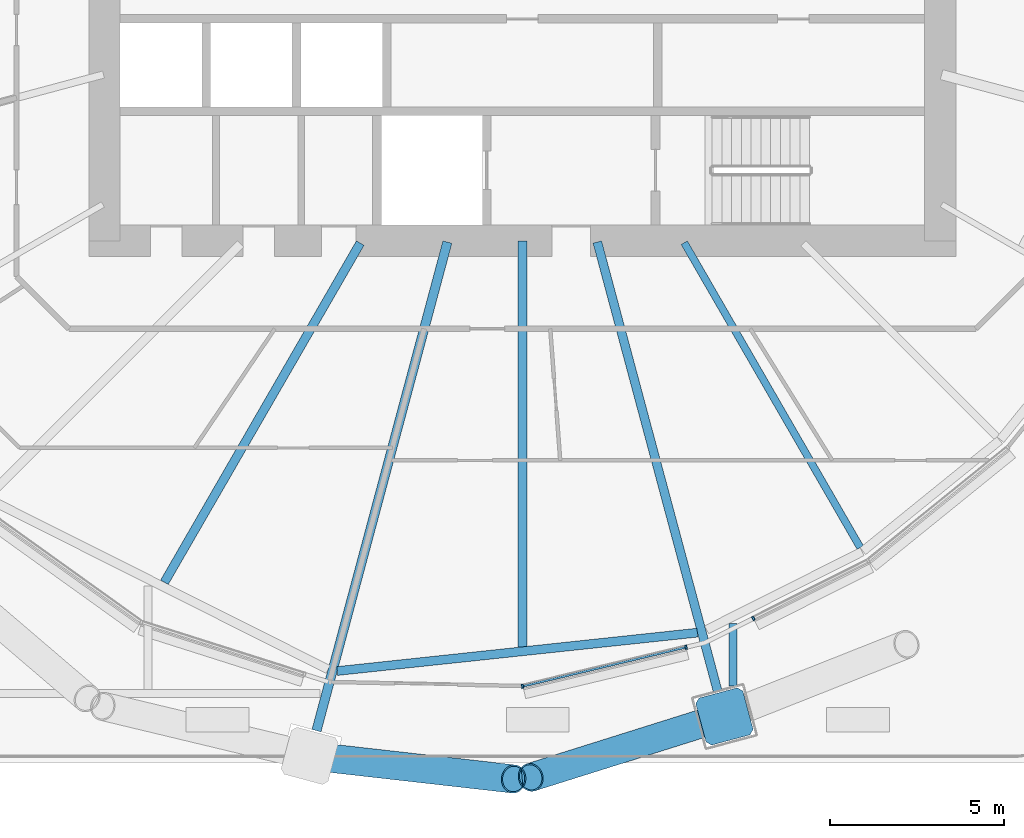
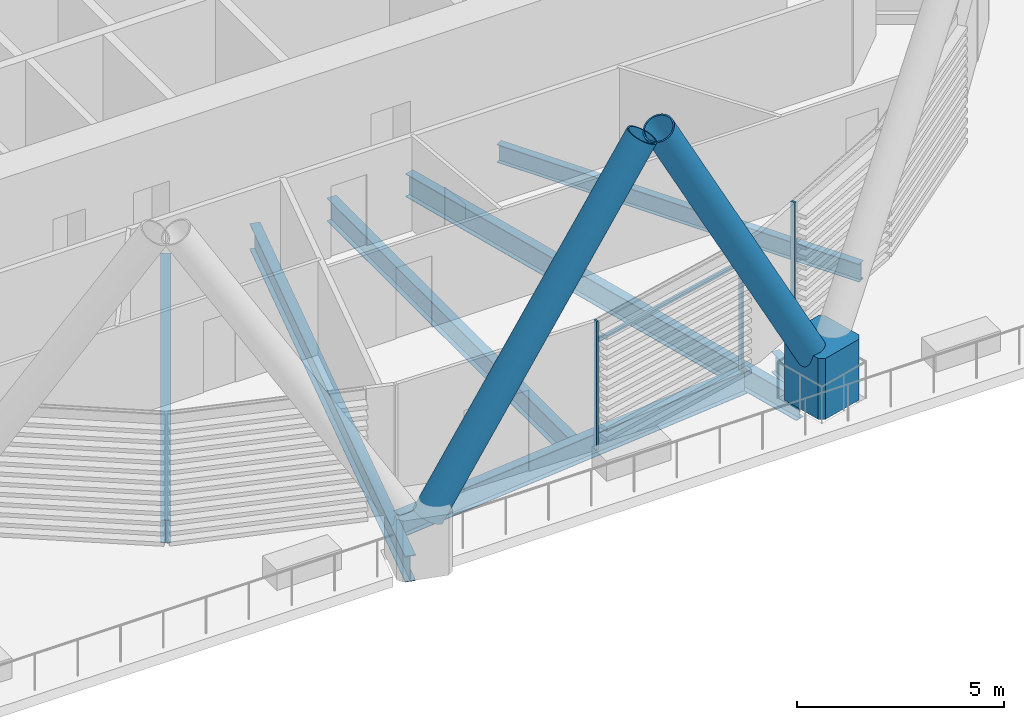
# One storey, part 14 of 47: 7 beams, 7 members, 1 element without a shape of its own.
"""IFC4 building model written with IfcOpenShell, lengths in metres."""

from ifc_helpers import new_model, si_unit, direction, frame, origin, origin_2d, place, context, subcontext, project, spatial, polyline, rectangle, hollow_circle, i_section, outline, extrude, material, material_profile, profile_set, type_object, element, aggregate, save


model = new_model("IFC4")

# Units and contexts
model_context = context("Model", 3, precision=1e-05, world=origin(), true_north=direction((0.0, 1.0)))
body_context = subcontext(model_context, "Body", "Model", "MODEL_VIEW")
ifc_project = project(units=[si_unit("LENGTHUNIT", "METRE"), si_unit("AREAUNIT", "SQUARE_METRE"), si_unit("VOLUMEUNIT", "CUBIC_METRE"), si_unit("PLANEANGLEUNIT", "RADIAN"), si_unit("MASSUNIT", "GRAM", prefix="KILO")], contexts=[model_context])

# Site, building, storey
site_placement = place(None, origin())
site = spatial("IfcSite", under=ifc_project, at=site_placement, CompositionType="ELEMENT")
building_placement = place(site_placement, origin())
building = spatial("IfcBuilding", under=site, at=building_placement, Name="Rimbun Link Towers", CompositionType="ELEMENT")
storey_placement = place(building_placement, frame((0.0, 0.0, 30.0)))
storey = spatial("IfcBuildingStorey", under=building, at=storey_placement, Name="L06", CompositionType="ELEMENT", Elevation=30.0)

# Curtain wall, members
ifc_material_1 = material(Name="Aluminium 6063-T6 and low-iron glass", Category="aluminium")
curtain_wall_type = type_object("IfcCurtainWallType", Name="CW1 unitised vision wall", PredefinedType="NOTDEFINED", material=ifc_material_1)
curtain_wall_placement = place(storey_placement, origin())
curtain_wall = element("IfcCurtainWall", 1, at=curtain_wall_placement, inside=storey, type_object=curtain_wall_type, Name="CW1 L06 T2", PredefinedType="NOTDEFINED")
ifc_material_2 = material(Name="Aluminium 6063-T6", Category="aluminium")
ifc_material_profile_1 = material_profile(ifc_material_2, rectangle(XDim=0.1201171875, YDim=0.06005859375, at=origin_2d()), Name="MULLION 60X120")
ifc_profile_set_1 = profile_set([ifc_material_profile_1], Name="Aluminium 6063-T6")
member_type_1 = type_object("IfcMemberType", Name="CW1 mullion 60X120", PredefinedType="MULLION", material=ifc_profile_set_1)
member_1_placement = place(storey_placement, frame((31.75634765625, -20.793212890625, 0.0), z_axis=(0.0, 0.0, 1.0), x_axis=(0.106644689088, -0.994297194147, 0.0)))
member_1 = element("IfcMember", 2, at=member_1_placement, type_object=member_type_1, Name="CW1 mullion", PredefinedType="MULLION", context=body_context, shape_type="SweptSolid", body=[
    extrude(rectangle(XDim=0.1201171875, YDim=0.06005859375, at=origin_2d()), origin(), (0.0, 0.0, 1.0), 3.800048828125),
])
member_2_placement = place(storey_placement, frame((36.449951171875, -19.671142578125, 0.0), z_axis=(0.0, 0.0, 1.0), x_axis=(0.23261266824, -0.972569455913, 0.0)))
member_2 = element("IfcMember", 3, at=member_2_placement, type_object=member_type_1, Name="CW1 mullion", PredefinedType="MULLION", context=body_context, shape_type="SweptSolid", body=[
    extrude(rectangle(XDim=0.1201171875, YDim=0.06005859375, at=origin_2d()), origin(), (0.0, 0.0, 1.0), 3.800048828125),
])
member_3_placement = place(storey_placement, frame((38.383056640625, -18.8427734375, 0.0), z_axis=(0.0, 0.0, 1.0), x_axis=(0.448773200217, -0.893645687489, 0.0)))
member_3 = element("IfcMember", 4, at=member_3_placement, type_object=member_type_1, Name="CW1 mullion", PredefinedType="MULLION", context=body_context, shape_type="SweptSolid", body=[
    extrude(rectangle(XDim=0.1201171875, YDim=0.06005859375, at=origin_2d()), origin(), (0.0, 0.0, 1.0), 3.800048828125),
])
ifc_material_3 = material(Name="Aluminium 6063-T6", Category="aluminium")
ifc_material_profile_2 = material_profile(ifc_material_3, rectangle(XDim=0.06005859375, YDim=0.1201171875, at=origin_2d()), Name="TRANSOM 60X120")
ifc_profile_set_2 = profile_set([ifc_material_profile_2], Name="Aluminium 6063-T6")
member_type_2 = type_object("IfcMemberType", Name="CW1 transom 60X120", PredefinedType="USERDEFINED", material=ifc_profile_set_2)
member_4_placement = place(storey_placement, frame((36.42041015625, -19.676025390625, 3.199951171875), z_axis=(-0.97256400383, -0.232635462589, 0.0), x_axis=(0.232635462589, -0.97256400383, 0.0)))
member_4 = element("IfcMember", 5, at=member_4_placement, type_object=member_type_2, Name="CW1 transom", ObjectType="TRANSOM", PredefinedType="USERDEFINED", context=body_context, shape_type="SweptSolid", body=[
    extrude(rectangle(XDim=0.06005859375, YDim=0.1201171875, at=origin_2d()), origin(), (0.0, 0.0, 1.0), 4.75830078125),
])
aggregate(curtain_wall, [member_1, member_2, member_3, member_4])

# Members
ifc_material_4 = material(Name="Steel S460NH", Category="steel")
ifc_material_profile_3 = material_profile(ifc_material_4, hollow_circle(Radius=0.406494140625, WallThickness=0.0400390625, at=origin_2d()), Name="Diagrid diagonal CHS 813x40")
ifc_profile_set_3 = profile_set([ifc_material_profile_3], Name="Steel S460NH")
member_type_3 = type_object("IfcMemberType", Name="Diagrid diagonal CHS 813x40", PredefinedType="BRACE", material=ifc_profile_set_3)
member_5_placement = place(storey_placement, frame((25.894287109375, -22.81884765625, 1.33154296875), z_axis=(0.501931567792, -0.056846368265, 0.863037190201), x_axis=(0.112535782088, 0.993647672845, 0.0)))
element("IfcMember", 6, at=member_5_placement, inside=storey, type_object=member_type_3, Name="Diagrid diagonal T2 L06-L09 14b", PredefinedType="BRACE", context=body_context, shape_type="SweptSolid", body=[
    extrude(hollow_circle(Radius=0.406494140625, WallThickness=0.0400390625, at=origin_2d()), origin(), (0.0, 0.0, 1.0), 11.166259765625),
])
member_6_placement = place(storey_placement, frame((37.314208984375, -21.7333984375, 1.33251953125), z_axis=(-0.478242728884, -0.150278546844, 0.865274667737), x_axis=(0.299778829236, -0.954008728231, 0.0)))
element("IfcMember", 7, at=member_6_placement, inside=storey, type_object=member_type_3, Name="Diagrid diagonal T2 L06-L09 16a", PredefinedType="BRACE", context=body_context, shape_type="SweptSolid", body=[
    extrude(hollow_circle(Radius=0.406494140625, WallThickness=0.0400390625, at=origin_2d()), origin(), (0.0, 0.0, 1.0), 11.135009765625),
])
ifc_material_5 = material(Name="Cast steel G20Mn5+QT, Rp0.2 300 MPa", Category="steel")
ifc_material_profile_4 = material_profile(ifc_material_5, outline(polyline([(0.699951171875, -0.570068359375), (0.699951171875, 0.570068359375), (0.570068359375, 0.699951171875), (-0.570068359375, 0.699951171875), (-0.699951171875, 0.570068359375), (-0.699951171875, -0.570068359375), (-0.570068359375, -0.699951171875), (0.570068359375, -0.699951171875), (0.699951171875, -0.570068359375)])), Name="NODE 1400x1400")
ifc_profile_set_4 = profile_set([ifc_material_profile_4], Name="Cast steel G20Mn5+QT, Rp0.2 300 MPa")
member_type_4 = type_object("IfcMemberType", Name="Diagrid node cast 1400", PredefinedType="USERDEFINED", material=ifc_profile_set_4)
member_7_placement = place(storey_placement, frame((37.55322265625, -21.658203125, 0.0), z_axis=(0.0, 0.0, 1.0), x_axis=(0.258819045103, -0.965925826289, 0.0)))
element("IfcMember", 8, at=member_7_placement, inside=storey, type_object=member_type_4, Name="Diagrid node L06 16", ObjectType="Diagrid node", PredefinedType="USERDEFINED", context=body_context, shape_type="SweptSolid", body=[
    extrude(outline(polyline([(0.699951171875, -0.570068359375), (0.699951171875, 0.570068359375), (0.570068359375, 0.699951171875), (-0.570068359375, 0.699951171875), (-0.699951171875, 0.570068359375), (-0.699951171875, -0.570068359375), (-0.570068359375, -0.699951171875), (0.570068359375, -0.699951171875), (0.699951171875, -0.570068359375)])), origin(), (0.0, 0.0, 1.0), 1.800048828125),
])

# Beams
ifc_material_6 = material(Name="Steel S355J2", Category="steel")
ifc_material_profile_5 = material_profile(ifc_material_6, i_section(OverallWidth=0.209228515625, OverallDepth=0.533203125, WebThickness=0.010009765625, FlangeThickness=0.015625, at=origin_2d()), Name="UB 533x210x92")
ifc_profile_set_5 = profile_set([ifc_material_profile_5], Name="Steel S355J2")
beam_type_1 = type_object("IfcBeamType", Name="UB 533x210x92", PredefinedType="BEAM", material=ifc_profile_set_5)
beam_1_placement = place(storey_placement, frame((36.3994140625, -8.05322265625, -0.56640625), z_axis=(0.500024888386, -0.866011033991, 0.0), x_axis=(0.866011033991, 0.500024888386, 0.0)))
element("IfcBeam", 9, at=beam_1_placement, inside=storey, type_object=beam_type_1, Name="Radial beam T2 L06 17", PredefinedType="BEAM", context=body_context, shape_type="SweptSolid", body=[
    extrude(i_section(OverallWidth=0.209228515625, OverallDepth=0.533203125, WebThickness=0.010009765625, FlangeThickness=0.015625, at=origin_2d()), origin(), (0.0, 0.0, 1.0), 10.10888671875),
])
ifc_material_7 = material(Name="Steel S355J2", Category="steel")
ifc_material_profile_6 = material_profile(ifc_material_7, i_section(OverallWidth=0.2275390625, OverallDepth=0.6025390625, WebThickness=0.010498046875, FlangeThickness=0.014892578125, at=origin_2d()), Name="UB 610x229x101")
ifc_profile_set_6 = profile_set([ifc_material_profile_6], Name="Steel S355J2")
beam_type_2 = type_object("IfcBeamType", Name="UB 610x229x101", PredefinedType="BEAM", material=ifc_profile_set_6)
beam_2_placement = place(storey_placement, frame((37.800048828125, -20.779052734375, -0.601318359375), z_axis=(0.0, 1.0, 0.0), x_axis=(-1.0, 0.0, 0.0)))
element("IfcBeam", 10, at=beam_2_placement, inside=storey, type_object=beam_type_2, Name="Grid beam L06 +37.8", PredefinedType="BEAM", context=body_context, shape_type="SweptSolid", body=[
    extrude(i_section(OverallWidth=0.2275390625, OverallDepth=0.6025390625, WebThickness=0.010498046875, FlangeThickness=0.014892578125, at=origin_2d()), origin(), (0.0, 0.0, 1.0), 1.790771484375),
])
ifc_material_8 = material(Name="Steel S355J2", Category="steel")
ifc_material_profile_7 = material_profile(ifc_material_8, i_section(OverallWidth=0.253662109375, OverallDepth=0.68359375, WebThickness=0.012451171875, FlangeThickness=0.01904296875, at=origin_2d()), Name="UB 686x254x140")
ifc_profile_set_7 = profile_set([ifc_material_profile_7], Name="Steel S355J2")
beam_type_3 = type_object("IfcBeamType", Name="UB 686x254x140", PredefinedType="BEAM", material=ifc_profile_set_7)
beam_3_placement = place(storey_placement, frame((27.093994140625, -8.064208984375, -0.641845703125), z_axis=(-0.499995511288, -0.866027995328, 0.0), x_axis=(0.866027995328, -0.499995511288, 0.0)))
element("IfcBeam", 11, at=beam_3_placement, inside=storey, type_object=beam_type_3, Name="Radial beam T2 L06 13", PredefinedType="BEAM", context=body_context, shape_type="SweptSolid", body=[
    extrude(i_section(OverallWidth=0.253662109375, OverallDepth=0.68359375, WebThickness=0.012451171875, FlangeThickness=0.01904296875, at=origin_2d()), origin(), (0.0, 0.0, 1.0), 11.248046875),
])
beam_4_placement = place(storey_placement, frame((31.75, -8.0009765625, -0.641845703125), z_axis=(0.0, -1.0, 0.0), x_axis=(1.0, 0.0, 0.0)))
element("IfcBeam", 12, at=beam_4_placement, inside=storey, type_object=beam_type_3, Name="Radial beam T2 L06 15", PredefinedType="BEAM", context=body_context, shape_type="SweptSolid", body=[
    extrude(i_section(OverallWidth=0.253662109375, OverallDepth=0.68359375, WebThickness=0.012451171875, FlangeThickness=0.01904296875, at=origin_2d()), origin(), (0.0, 0.0, 1.0), 11.65771484375),
])
beam_5_placement = place(storey_placement, frame((33.902587890625, -8.03369140625, -0.641845703125), z_axis=(0.258816190288, -0.96592659123, 0.0), x_axis=(0.96592659123, 0.258816190288, 0.0)))
element("IfcBeam", 13, at=beam_5_placement, inside=storey, type_object=beam_type_3, Name="Radial beam T2 L06 16", PredefinedType="BEAM", context=body_context, shape_type="SweptSolid", body=[
    extrude(i_section(OverallWidth=0.253662109375, OverallDepth=0.68359375, WebThickness=0.012451171875, FlangeThickness=0.01904296875, at=origin_2d()), origin(), (0.0, 0.0, 1.0), 13.355224609375),
])
beam_6_placement = place(storey_placement, frame((26.435302734375, -20.353271484375, -0.641845703125), z_axis=(0.994376453373, 0.105903111275, 0.0), x_axis=(-0.105903111275, 0.994376453373, 0.0)))
element("IfcBeam", 14, at=beam_6_placement, inside=storey, type_object=beam_type_3, Name="Edge beam T2 L06 14-16", PredefinedType="BEAM", context=body_context, shape_type="SweptSolid", body=[
    extrude(i_section(OverallWidth=0.253662109375, OverallDepth=0.68359375, WebThickness=0.012451171875, FlangeThickness=0.01904296875, at=origin_2d()), origin(), (0.0, 0.0, 1.0), 10.3994140625),
])
ifc_material_9 = material(Name="Steel S355J2", Category="steel")
ifc_material_profile_8 = material_profile(ifc_material_9, i_section(OverallWidth=0.2666015625, OverallDepth=0.76220703125, WebThickness=0.014404296875, FlangeThickness=0.021484375, at=origin_2d()), Name="UB 762x267x173")
ifc_profile_set_8 = profile_set([ifc_material_profile_8], Name="Steel S355J2")
beam_type_4 = type_object("IfcBeamType", Name="UB 762x267x173", PredefinedType="BEAM", material=ifc_profile_set_8)
beam_7_placement = place(storey_placement, frame((29.596923828125, -8.035400390625, -0.68115234375), z_axis=(-0.25882261837, -0.965924868828, 0.0), x_axis=(0.965924868828, -0.25882261837, 0.0)))
element("IfcBeam", 15, at=beam_7_placement, inside=storey, type_object=beam_type_4, Name="Radial beam T2 L06 14", PredefinedType="BEAM", context=body_context, shape_type="SweptSolid", body=[
    extrude(i_section(OverallWidth=0.2666015625, OverallDepth=0.76220703125, WebThickness=0.014404296875, FlangeThickness=0.021484375, at=origin_2d()), origin(), (0.0, 0.0, 1.0), 14.525390625),
])

save(model, "model.ifc")
